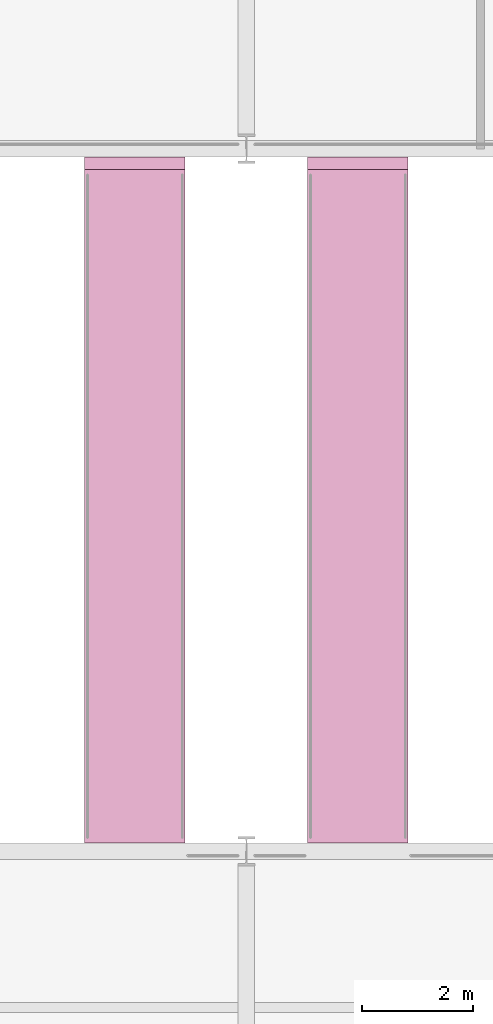
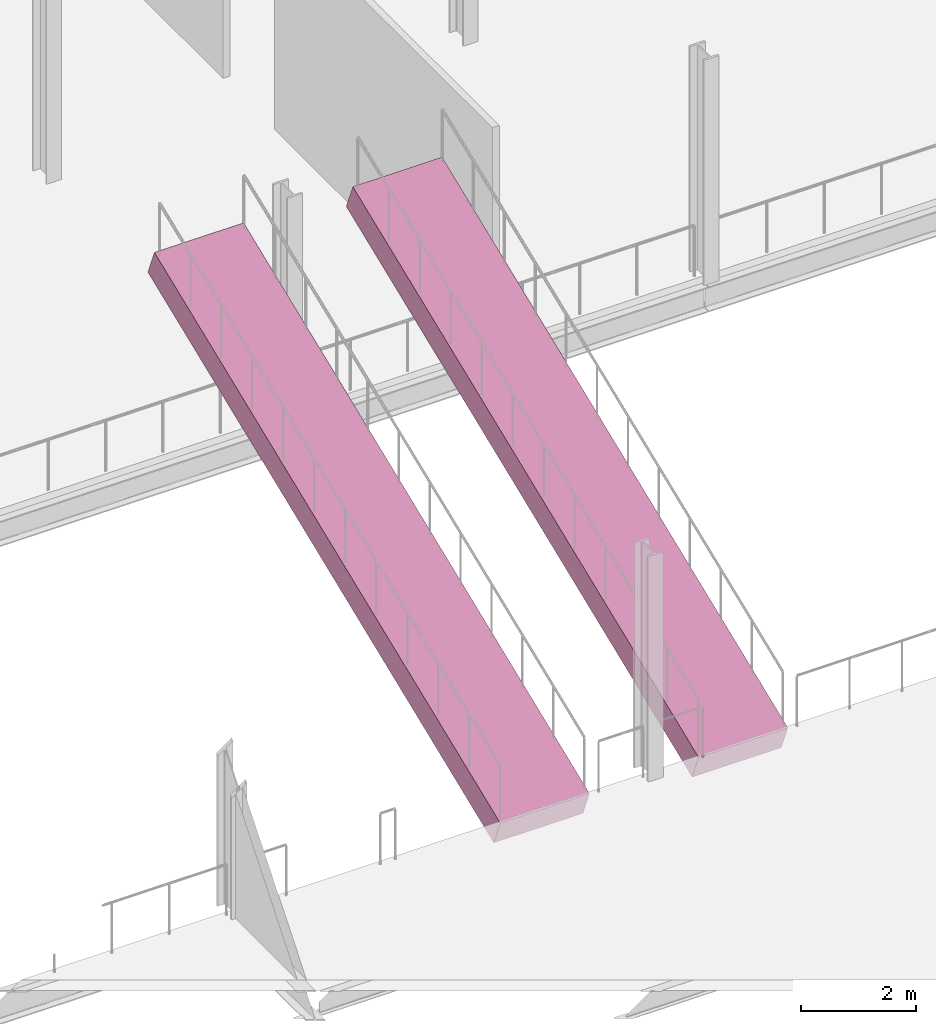
# One storey, part 61 of 61: 2 transport elements.
"""IFC4 building model written with IfcOpenShell, lengths in metres."""

from ifc_helpers import new_model, si_unit, direction, frame, origin, origin_2d, place, context, subcontext, project, spatial, rectangle, extrude, material, material_profile, profile_set, type_object, element, save


model = new_model("IFC4")

# Units and contexts
model_context = context("Model", 3, precision=1e-05, world=origin(), true_north=direction((0.0, 1.0)))
body_context = subcontext(model_context, "Body", "Model", "MODEL_VIEW")
ifc_project = project(units=[si_unit("LENGTHUNIT", "METRE"), si_unit("AREAUNIT", "SQUARE_METRE"), si_unit("VOLUMEUNIT", "CUBIC_METRE"), si_unit("PLANEANGLEUNIT", "RADIAN"), si_unit("MASSUNIT", "GRAM", prefix="KILO")], contexts=[model_context])

# Site, building, storey
site_placement = place(None, origin())
site = spatial("IfcSite", under=ifc_project, at=site_placement, CompositionType="ELEMENT")
building_placement = place(site_placement, origin())
building = spatial("IfcBuilding", under=site, at=building_placement, Name="Galleria Vessillo Department Store", CompositionType="ELEMENT")
storey_placement = place(building_placement, frame((0.0, 0.0, 11.39990234375)))
storey = spatial("IfcBuildingStorey", under=building, at=storey_placement, Name="L02", CompositionType="ELEMENT", Elevation=11.39990234375)

# Transport elements
ifc_material = material(Name="Steel S355 J2", Category="steel")
ifc_material_profile = material_profile(ifc_material, rectangle(XDim=1.800048828125, YDim=0.60009765625, at=origin_2d()), Name="Escalator truss 1800 x 600")
ifc_profile_set = profile_set([ifc_material_profile], Name="Steel S355 J2")
transport_element_type = type_object("IfcTransportElementType", Name="Escalator truss 1400 mm steps", PredefinedType="ESCALATOR", material=ifc_profile_set)
for number, where, z_axis, x_axis, name in (
    (1, (56.800048828125, 25.461669921875, -0.4404296875), (0.0, 0.928200792304, 0.372079681207), (-1.0, 0.0, 0.0), "Escalator ES5 L02 to L03"),
    (2, (60.800048828125, 25.461669921875, -0.4404296875), (0.0, 0.928200792304, 0.372079681207), (-1.0, 0.0, 0.0), "Escalator ES6 L02 to L03"),
):
    element("IfcTransportElement", number, at=place(storey_placement, frame(where, z_axis=z_axis, x_axis=x_axis)), inside=storey, type_object=transport_element_type, Name=name, PredefinedType="ESCALATOR", context=body_context, shape_type="SweptSolid", body=[
        extrude(rectangle(XDim=1.800048828125, YDim=0.60009765625, at=origin_2d()), origin(), (0.0, 0.0, 1.0), 13.0107421875),
    ])

save(model, "model.ifc")
